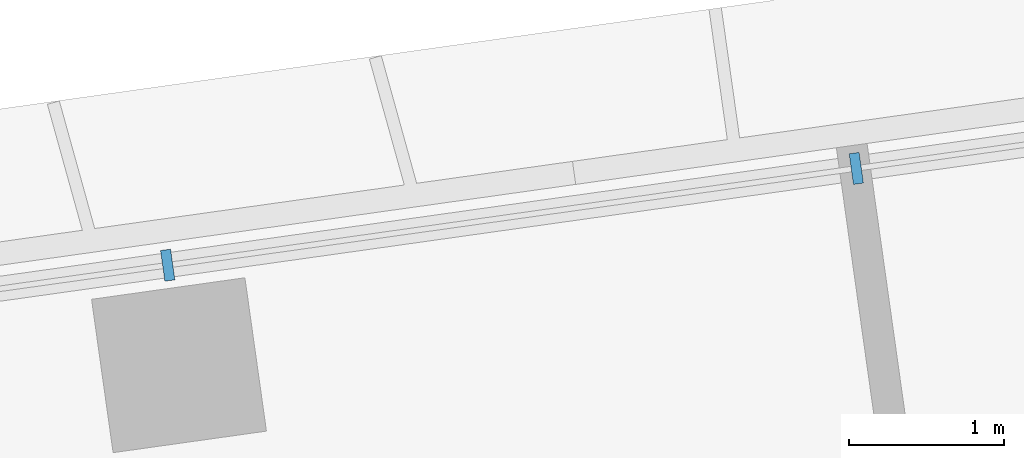
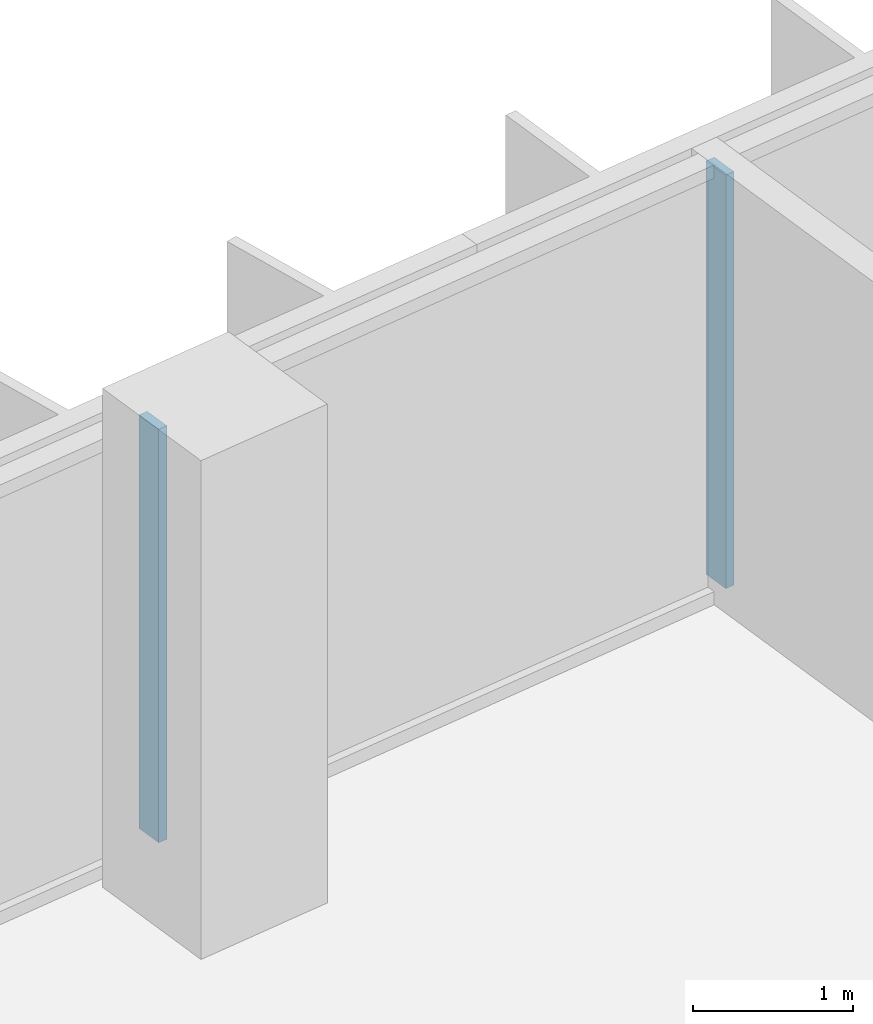
# One storey, part 8 of 25: 2 members, 1 element without a shape of its own.
"""IFC4 building model written with IfcOpenShell, lengths in metres."""

from ifc_helpers import new_model, si_unit, direction, frame, origin, origin_2d, place, context, subcontext, project, spatial, rectangle, extrude, material, material_profile, profile_set, type_object, element, aggregate, save


model = new_model("IFC4")

# Units and contexts
model_context = context("Model", 3, precision=1e-05, world=origin(), true_north=direction((0.0, 1.0)))
body_context = subcontext(model_context, "Body", "Model", "MODEL_VIEW")
ifc_project = project(units=[si_unit("LENGTHUNIT", "METRE"), si_unit("AREAUNIT", "SQUARE_METRE"), si_unit("VOLUMEUNIT", "CUBIC_METRE"), si_unit("PLANEANGLEUNIT", "RADIAN"), si_unit("MASSUNIT", "GRAM", prefix="KILO")], contexts=[model_context])

# Site, building, storey
site_placement = place(None, origin())
site = spatial("IfcSite", under=ifc_project, at=site_placement, CompositionType="ELEMENT")
building_placement = place(site_placement, origin())
building = spatial("IfcBuilding", under=site, at=building_placement, Name="Mirante Cascada Hotel Towers", CompositionType="ELEMENT")
storey_placement = place(building_placement, frame((0.0, 0.0, 69.9)))
storey = spatial("IfcBuildingStorey", under=building, at=storey_placement, Name="L14", CompositionType="ELEMENT", Elevation=69.9)

# Curtain wall, members
ifc_material_1 = material(Name="Aluminium mullion and transom frame with clear laminated glass", Category="aluminium")
curtain_wall_type = type_object("IfcCurtainWallType", Name="Ribbon curtain wall ECW1", PredefinedType="NOTDEFINED", material=ifc_material_1)
curtain_wall_placement = place(storey_placement, origin())
curtain_wall = element("IfcCurtainWall", 1, at=curtain_wall_placement, inside=storey, type_object=curtain_wall_type, Name="Front ribbon wall T2 L14", PredefinedType="NOTDEFINED")
ifc_material_2 = material(Name="Anodised aluminium extrusion", Category="aluminium")
ifc_material_profile = material_profile(ifc_material_2, rectangle(XDim=0.2, YDim=0.065, at=origin_2d()), Name="ECW1 MULLION 65x200")
ifc_profile_set = profile_set([ifc_material_profile], Name="Anodised aluminium extrusion")
member_type = type_object("IfcMemberType", Name="ECW1 mullion 65x200", PredefinedType="MULLION", material=ifc_profile_set)
member_1_placement = place(storey_placement, frame((58.5788, 21.0517, 0.1), z_axis=(0.0, 0.0, 1.0), x_axis=(0.1391731, -0.9902681, 0.0)))
member_1 = element("IfcMember", 2, at=member_1_placement, type_object=member_type, Name="ECW1 mullion 9", PredefinedType="MULLION", context=body_context, shape_type="SweptSolid", body=[
    extrude(rectangle(XDim=0.2, YDim=0.065, at=origin_2d()), origin(), (0.0, 0.0, 1.0), 3.15),
])
member_2_placement = place(storey_placement, frame((54.1314, 20.4267, 0.1), z_axis=(0.0, 0.0, 1.0), x_axis=(0.1391731, -0.9902681, 0.0)))
member_2 = element("IfcMember", 3, at=member_2_placement, type_object=member_type, Name="ECW1 mullion 10", PredefinedType="MULLION", context=body_context, shape_type="SweptSolid", body=[
    extrude(rectangle(XDim=0.2, YDim=0.065, at=origin_2d()), origin(), (0.0, 0.0, 1.0), 3.15),
])
aggregate(curtain_wall, [member_1, member_2])

save(model, "model.ifc")
